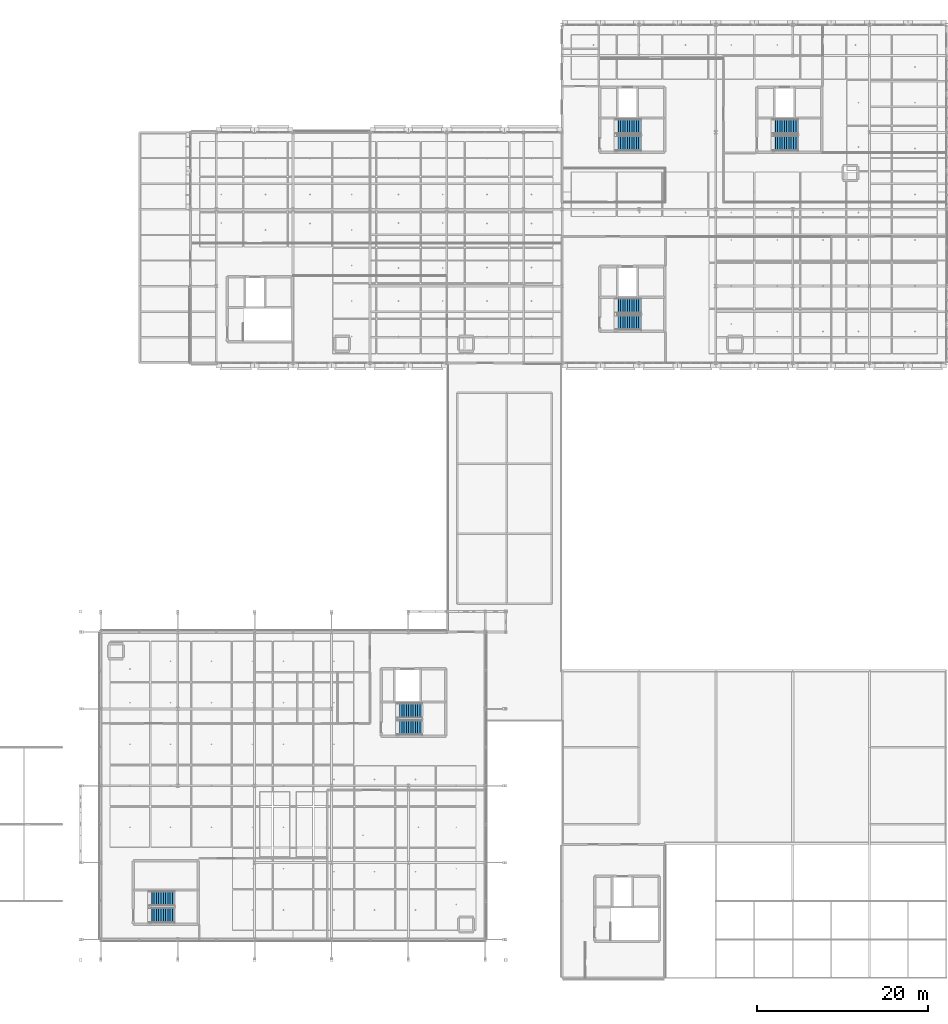
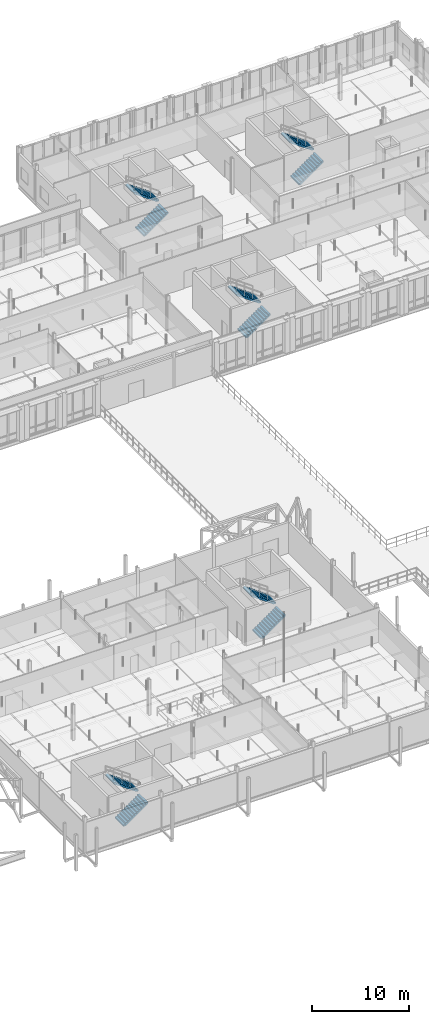
# One storey, part 52 of 89: 10 stair flights, 5 elements without a shape of their own.
"""IFC4 building model written with IfcOpenShell, lengths in metres."""

from ifc_helpers import new_model, si_unit, direction, frame, origin, place, context, subcontext, project, spatial, polyline, outline, extrude, material, type_object, element, aggregate, save


model = new_model("IFC4")

# Units and contexts
model_context = context("Model", 3, precision=1e-05, world=origin(), true_north=direction((0.0, 1.0)))
body_context = subcontext(model_context, "Body", "Model", "MODEL_VIEW")
ifc_project = project(units=[si_unit("LENGTHUNIT", "METRE"), si_unit("AREAUNIT", "SQUARE_METRE"), si_unit("VOLUMEUNIT", "CUBIC_METRE"), si_unit("PLANEANGLEUNIT", "RADIAN"), si_unit("MASSUNIT", "GRAM", prefix="KILO"), si_unit("THERMODYNAMICTEMPERATUREUNIT", "KELVIN"), si_unit("POWERUNIT", "WATT")], contexts=[model_context])

# Site, building, storey
site_placement = place(None, origin())
site = spatial("IfcSite", under=ifc_project, at=site_placement, CompositionType="ELEMENT")
building_placement = place(site_placement, origin())
building = spatial("IfcBuilding", under=site, at=building_placement, Name="Tallowbark Science Centre", CompositionType="ELEMENT")
storey_placement = place(building_placement, frame((0.0, 0.0, 14.39990234375)))
storey = spatial("IfcBuildingStorey", under=building, at=storey_placement, Name="L03", CompositionType="ELEMENT", Elevation=14.39990234375)

# Stair, stair flights
ifc_material = material(Name="Concrete Grade N40 (40 MPa)", Category="concrete")
stair_type_1 = type_object("IfcStairType", Name="STR-C2", PredefinedType="HALF_TURN_STAIR", material=ifc_material)
stair_1_placement = place(storey_placement, origin())
stair_1 = element("IfcStair", 1, at=stair_1_placement, inside=storey, type_object=stair_type_1, Name="L03 Fire Stair ST-02", PredefinedType="HALF_TURN_STAIR")
stair_flight_type_1 = type_object("IfcStairFlightType", Name="SFL-C2", PredefinedType="STRAIGHT", material=ifc_material)
stair_flight_1_placement = place(storey_placement, frame((118.81005859375, 76.72998046875, 0.0), z_axis=(0.0, 0.0, 1.0), x_axis=(1.0, 0.0, 0.0)))
stair_flight_1 = element("IfcStairFlight", 2, at=stair_flight_1_placement, type_object=stair_flight_type_1, Name="ST-02 flight 1", NumberOfRisers=12, NumberOfTreads=11, PredefinedType="STRAIGHT", RiserHeight=0.1875, TreadLength=0.265, context=body_context, shape_type="SweptSolid", body=[
    extrude(outline(polyline([(0.0, 0.0), (0.0, 0.1875), (0.264892578125, 0.1875), (0.264892578125, 0.375), (0.530029296875, 0.375), (0.530029296875, 0.5625), (0.794921875, 0.5625), (0.794921875, 0.75), (1.06005859375, 0.75), (1.06005859375, 0.9375), (1.324951171875, 0.9375), (1.324951171875, 1.125), (1.590087890625, 1.125), (1.590087890625, 1.3125), (1.85498046875, 1.3125), (1.85498046875, 1.5), (2.1201171875, 1.5), (2.1201171875, 1.6875), (2.385009765625, 1.6875), (2.385009765625, 1.875), (2.64990234375, 1.875), (2.64990234375, 2.0625), (2.9150390625, 2.0625), (2.9150390625, 2.25), (2.9150390625, 1.87890625), (0.259521484375, 0.0), (0.0, 0.0)])), frame((0.0, 0.8798828125, 0.0), z_axis=(0.0, -1.0, 0.0), x_axis=(1.0, 0.0, 0.0)), (0.0, 0.0, 1.0), 1.760009765625),
])
stair_flight_2_placement = place(storey_placement, frame((121.72509765625, 78.68994140625, 2.25), z_axis=(0.0, 0.0, 1.0), x_axis=(-1.0, 0.0, 0.0)))
stair_flight_2 = element("IfcStairFlight", 3, at=stair_flight_2_placement, type_object=stair_flight_type_1, Name="ST-02 flight 2", NumberOfRisers=12, NumberOfTreads=11, PredefinedType="STRAIGHT", RiserHeight=0.1875, TreadLength=0.265, context=body_context, shape_type="SweptSolid", body=[
    extrude(outline(polyline([(0.0, 0.0), (0.0, 0.1875), (0.264892578125, 0.1875), (0.264892578125, 0.375), (0.530029296875, 0.375), (0.530029296875, 0.5625), (0.794921875, 0.5625), (0.794921875, 0.75), (1.06005859375, 0.75), (1.06005859375, 0.9375), (1.324951171875, 0.9375), (1.324951171875, 1.125), (1.590087890625, 1.125), (1.590087890625, 1.3125), (1.85498046875, 1.3125), (1.85498046875, 1.5), (2.1201171875, 1.5), (2.1201171875, 1.6875), (2.385009765625, 1.6875), (2.385009765625, 1.875), (2.64990234375, 1.875), (2.64990234375, 2.0625), (2.9150390625, 2.0625), (2.9150390625, 2.25), (2.9150390625, 1.87890625), (0.259521484375, 0.0), (0.0, 0.0)])), frame((0.0, 0.8798828125, 0.0), z_axis=(0.0, -1.0, 0.0), x_axis=(1.0, 0.0, 0.0)), (0.0, 0.0, 1.0), 1.760009765625),
])
aggregate(stair_1, [stair_flight_1, stair_flight_2])

stair_type_2 = type_object("IfcStairType", Name="STR-C3", PredefinedType="HALF_TURN_STAIR", material=ifc_material)
stair_2_placement = place(storey_placement, origin())
stair_2 = element("IfcStair", 4, at=stair_2_placement, inside=storey, type_object=stair_type_2, Name="L03 Fire Stair ST-03", PredefinedType="HALF_TURN_STAIR")
stair_flight_type_2 = type_object("IfcStairFlightType", Name="SFL-C3", PredefinedType="STRAIGHT", material=ifc_material)
stair_flight_3_placement = place(storey_placement, frame((93.2099609375, 29.330078125, 0.0), z_axis=(0.0, 0.0, 1.0), x_axis=(1.0, 0.0, 0.0)))
stair_flight_3 = element("IfcStairFlight", 5, at=stair_flight_3_placement, type_object=stair_flight_type_2, Name="ST-03 flight 1", NumberOfRisers=12, NumberOfTreads=11, PredefinedType="STRAIGHT", RiserHeight=0.1875, TreadLength=0.265, context=body_context, shape_type="SweptSolid", body=[
    extrude(outline(polyline([(0.0, 0.0), (0.0, 0.1875), (0.264892578125, 0.1875), (0.264892578125, 0.375), (0.530029296875, 0.375), (0.530029296875, 0.5625), (0.794921875, 0.5625), (0.794921875, 0.75), (1.06005859375, 0.75), (1.06005859375, 0.9375), (1.324951171875, 0.9375), (1.324951171875, 1.125), (1.590087890625, 1.125), (1.590087890625, 1.3125), (1.85498046875, 1.3125), (1.85498046875, 1.5), (2.1201171875, 1.5), (2.1201171875, 1.6875), (2.385009765625, 1.6875), (2.385009765625, 1.875), (2.64990234375, 1.875), (2.64990234375, 2.0625), (2.9150390625, 2.0625), (2.9150390625, 2.25), (2.9150390625, 1.87890625), (0.259521484375, 0.0), (0.0, 0.0)])), frame((0.0, 0.8798828125, 0.0), z_axis=(0.0, -1.0, 0.0), x_axis=(1.0, 0.0, 0.0)), (0.0, 0.0, 1.0), 1.760009765625),
])
stair_flight_4_placement = place(storey_placement, frame((96.125, 31.2900390625, 2.25), z_axis=(0.0, 0.0, 1.0), x_axis=(-1.0, 0.0, 0.0)))
stair_flight_4 = element("IfcStairFlight", 6, at=stair_flight_4_placement, type_object=stair_flight_type_2, Name="ST-03 flight 2", NumberOfRisers=12, NumberOfTreads=11, PredefinedType="STRAIGHT", RiserHeight=0.1875, TreadLength=0.265, context=body_context, shape_type="SweptSolid", body=[
    extrude(outline(polyline([(0.0, 0.0), (0.0, 0.1875), (0.264892578125, 0.1875), (0.264892578125, 0.375), (0.530029296875, 0.375), (0.530029296875, 0.5625), (0.794921875, 0.5625), (0.794921875, 0.75), (1.06005859375, 0.75), (1.06005859375, 0.9375), (1.324951171875, 0.9375), (1.324951171875, 1.125), (1.590087890625, 1.125), (1.590087890625, 1.3125), (1.85498046875, 1.3125), (1.85498046875, 1.5), (2.1201171875, 1.5), (2.1201171875, 1.6875), (2.385009765625, 1.6875), (2.385009765625, 1.875), (2.64990234375, 1.875), (2.64990234375, 2.0625), (2.9150390625, 2.0625), (2.9150390625, 2.25), (2.9150390625, 1.87890625), (0.259521484375, 0.0), (0.0, 0.0)])), frame((0.0, 0.8798828125, 0.0), z_axis=(0.0, -1.0, 0.0), x_axis=(1.0, 0.0, 0.0)), (0.0, 0.0, 1.0), 1.760009765625),
])
aggregate(stair_2, [stair_flight_3, stair_flight_4])

stair_type_3 = type_object("IfcStairType", Name="STR-C4", PredefinedType="HALF_TURN_STAIR", material=ifc_material)
stair_3_placement = place(storey_placement, origin())
stair_3 = element("IfcStair", 7, at=stair_3_placement, inside=storey, type_object=stair_type_3, Name="L03 Fire Stair ST-04", PredefinedType="HALF_TURN_STAIR")
stair_flight_type_3 = type_object("IfcStairFlightType", Name="SFL-C4", PredefinedType="STRAIGHT", material=ifc_material)
stair_flight_5_placement = place(storey_placement, frame((137.2099609375, 97.72998046875, 0.0), z_axis=(0.0, 0.0, 1.0), x_axis=(1.0, 0.0, 0.0)))
stair_flight_5 = element("IfcStairFlight", 8, at=stair_flight_5_placement, type_object=stair_flight_type_3, Name="ST-04 flight 1", NumberOfRisers=12, NumberOfTreads=11, PredefinedType="STRAIGHT", RiserHeight=0.1875, TreadLength=0.265, context=body_context, shape_type="SweptSolid", body=[
    extrude(outline(polyline([(0.0, 0.0), (0.0, 0.1875), (0.264892578125, 0.1875), (0.264892578125, 0.375), (0.530029296875, 0.375), (0.530029296875, 0.5625), (0.794921875, 0.5625), (0.794921875, 0.75), (1.06005859375, 0.75), (1.06005859375, 0.9375), (1.324951171875, 0.9375), (1.324951171875, 1.125), (1.590087890625, 1.125), (1.590087890625, 1.3125), (1.85498046875, 1.3125), (1.85498046875, 1.5), (2.1201171875, 1.5), (2.1201171875, 1.6875), (2.385009765625, 1.6875), (2.385009765625, 1.875), (2.64990234375, 1.875), (2.64990234375, 2.0625), (2.9150390625, 2.0625), (2.9150390625, 2.25), (2.9150390625, 1.87890625), (0.259521484375, 0.0), (0.0, 0.0)])), frame((0.0, 0.8798828125, 0.0), z_axis=(0.0, -1.0, 0.0), x_axis=(1.0, 0.0, 0.0)), (0.0, 0.0, 1.0), 1.760009765625),
])
stair_flight_6_placement = place(storey_placement, frame((140.125, 99.68994140625, 2.25), z_axis=(0.0, 0.0, 1.0), x_axis=(-1.0, 0.0, 0.0)))
stair_flight_6 = element("IfcStairFlight", 9, at=stair_flight_6_placement, type_object=stair_flight_type_3, Name="ST-04 flight 2", NumberOfRisers=12, NumberOfTreads=11, PredefinedType="STRAIGHT", RiserHeight=0.1875, TreadLength=0.265, context=body_context, shape_type="SweptSolid", body=[
    extrude(outline(polyline([(0.0, 0.0), (0.0, 0.1875), (0.264892578125, 0.1875), (0.264892578125, 0.375), (0.530029296875, 0.375), (0.530029296875, 0.5625), (0.794921875, 0.5625), (0.794921875, 0.75), (1.06005859375, 0.75), (1.06005859375, 0.9375), (1.324951171875, 0.9375), (1.324951171875, 1.125), (1.590087890625, 1.125), (1.590087890625, 1.3125), (1.85498046875, 1.3125), (1.85498046875, 1.5), (2.1201171875, 1.5), (2.1201171875, 1.6875), (2.385009765625, 1.6875), (2.385009765625, 1.875), (2.64990234375, 1.875), (2.64990234375, 2.0625), (2.9150390625, 2.0625), (2.9150390625, 2.25), (2.9150390625, 1.87890625), (0.259521484375, 0.0), (0.0, 0.0)])), frame((0.0, 0.8798828125, 0.0), z_axis=(0.0, -1.0, 0.0), x_axis=(1.0, 0.0, 0.0)), (0.0, 0.0, 1.0), 1.760009765625),
])
aggregate(stair_3, [stair_flight_5, stair_flight_6])

stair_type_4 = type_object("IfcStairType", Name="STR-C5", PredefinedType="HALF_TURN_STAIR", material=ifc_material)
stair_4_placement = place(storey_placement, origin())
stair_4 = element("IfcStair", 10, at=stair_4_placement, inside=storey, type_object=stair_type_4, Name="L03 Fire Stair ST-05", PredefinedType="HALF_TURN_STAIR")
stair_flight_type_4 = type_object("IfcStairFlightType", Name="SFL-C5", PredefinedType="STRAIGHT", material=ifc_material)
stair_flight_7_placement = place(storey_placement, frame((118.81005859375, 97.72998046875, 0.0), z_axis=(0.0, 0.0, 1.0), x_axis=(1.0, 0.0, 0.0)))
stair_flight_7 = element("IfcStairFlight", 11, at=stair_flight_7_placement, type_object=stair_flight_type_4, Name="ST-05 flight 1", NumberOfRisers=12, NumberOfTreads=11, PredefinedType="STRAIGHT", RiserHeight=0.1875, TreadLength=0.265, context=body_context, shape_type="SweptSolid", body=[
    extrude(outline(polyline([(0.0, 0.0), (0.0, 0.1875), (0.264892578125, 0.1875), (0.264892578125, 0.375), (0.530029296875, 0.375), (0.530029296875, 0.5625), (0.794921875, 0.5625), (0.794921875, 0.75), (1.06005859375, 0.75), (1.06005859375, 0.9375), (1.324951171875, 0.9375), (1.324951171875, 1.125), (1.590087890625, 1.125), (1.590087890625, 1.3125), (1.85498046875, 1.3125), (1.85498046875, 1.5), (2.1201171875, 1.5), (2.1201171875, 1.6875), (2.385009765625, 1.6875), (2.385009765625, 1.875), (2.64990234375, 1.875), (2.64990234375, 2.0625), (2.9150390625, 2.0625), (2.9150390625, 2.25), (2.9150390625, 1.87890625), (0.259521484375, 0.0), (0.0, 0.0)])), frame((0.0, 0.8798828125, 0.0), z_axis=(0.0, -1.0, 0.0), x_axis=(1.0, 0.0, 0.0)), (0.0, 0.0, 1.0), 1.760009765625),
])
stair_flight_8_placement = place(storey_placement, frame((121.72509765625, 99.68994140625, 2.25), z_axis=(0.0, 0.0, 1.0), x_axis=(-1.0, 0.0, 0.0)))
stair_flight_8 = element("IfcStairFlight", 12, at=stair_flight_8_placement, type_object=stair_flight_type_4, Name="ST-05 flight 2", NumberOfRisers=12, NumberOfTreads=11, PredefinedType="STRAIGHT", RiserHeight=0.1875, TreadLength=0.265, context=body_context, shape_type="SweptSolid", body=[
    extrude(outline(polyline([(0.0, 0.0), (0.0, 0.1875), (0.264892578125, 0.1875), (0.264892578125, 0.375), (0.530029296875, 0.375), (0.530029296875, 0.5625), (0.794921875, 0.5625), (0.794921875, 0.75), (1.06005859375, 0.75), (1.06005859375, 0.9375), (1.324951171875, 0.9375), (1.324951171875, 1.125), (1.590087890625, 1.125), (1.590087890625, 1.3125), (1.85498046875, 1.3125), (1.85498046875, 1.5), (2.1201171875, 1.5), (2.1201171875, 1.6875), (2.385009765625, 1.6875), (2.385009765625, 1.875), (2.64990234375, 1.875), (2.64990234375, 2.0625), (2.9150390625, 2.0625), (2.9150390625, 2.25), (2.9150390625, 1.87890625), (0.259521484375, 0.0), (0.0, 0.0)])), frame((0.0, 0.8798828125, 0.0), z_axis=(0.0, -1.0, 0.0), x_axis=(1.0, 0.0, 0.0)), (0.0, 0.0, 1.0), 1.760009765625),
])
aggregate(stair_4, [stair_flight_7, stair_flight_8])

stair_type_5 = type_object("IfcStairType", Name="STR-C7", PredefinedType="HALF_TURN_STAIR", material=ifc_material)
stair_5_placement = place(storey_placement, origin())
stair_5 = element("IfcStair", 13, at=stair_5_placement, inside=storey, type_object=stair_type_5, Name="L03 Fire Stair ST-07", PredefinedType="HALF_TURN_STAIR")
stair_flight_type_5 = type_object("IfcStairFlightType", Name="SFL-C7", PredefinedType="STRAIGHT", material=ifc_material)
stair_flight_9_placement = place(storey_placement, frame((64.2099609375, 7.330078125, 0.0), z_axis=(0.0, 0.0, 1.0), x_axis=(1.0, 0.0, 0.0)))
stair_flight_9 = element("IfcStairFlight", 14, at=stair_flight_9_placement, type_object=stair_flight_type_5, Name="ST-07 flight 1", NumberOfRisers=12, NumberOfTreads=11, PredefinedType="STRAIGHT", RiserHeight=0.1875, TreadLength=0.265, context=body_context, shape_type="SweptSolid", body=[
    extrude(outline(polyline([(0.0, 0.0), (0.0, 0.1875), (0.264892578125, 0.1875), (0.264892578125, 0.375), (0.530029296875, 0.375), (0.530029296875, 0.5625), (0.794921875, 0.5625), (0.794921875, 0.75), (1.06005859375, 0.75), (1.06005859375, 0.9375), (1.324951171875, 0.9375), (1.324951171875, 1.125), (1.590087890625, 1.125), (1.590087890625, 1.3125), (1.85498046875, 1.3125), (1.85498046875, 1.5), (2.1201171875, 1.5), (2.1201171875, 1.6875), (2.385009765625, 1.6875), (2.385009765625, 1.875), (2.64990234375, 1.875), (2.64990234375, 2.0625), (2.9150390625, 2.0625), (2.9150390625, 2.25), (2.9150390625, 1.87890625), (0.259521484375, 0.0), (0.0, 0.0)])), frame((0.0, 0.8798828125, 0.0), z_axis=(0.0, -1.0, 0.0), x_axis=(1.0, 0.0, 0.0)), (0.0, 0.0, 1.0), 1.760009765625),
])
stair_flight_10_placement = place(storey_placement, frame((67.125, 9.2900390625, 2.25), z_axis=(0.0, 0.0, 1.0), x_axis=(-1.0, 0.0, 0.0)))
stair_flight_10 = element("IfcStairFlight", 15, at=stair_flight_10_placement, type_object=stair_flight_type_5, Name="ST-07 flight 2", NumberOfRisers=12, NumberOfTreads=11, PredefinedType="STRAIGHT", RiserHeight=0.1875, TreadLength=0.265, context=body_context, shape_type="SweptSolid", body=[
    extrude(outline(polyline([(0.0, 0.0), (0.0, 0.1875), (0.264892578125, 0.1875), (0.264892578125, 0.375), (0.530029296875, 0.375), (0.530029296875, 0.5625), (0.794921875, 0.5625), (0.794921875, 0.75), (1.06005859375, 0.75), (1.06005859375, 0.9375), (1.324951171875, 0.9375), (1.324951171875, 1.125), (1.590087890625, 1.125), (1.590087890625, 1.3125), (1.85498046875, 1.3125), (1.85498046875, 1.5), (2.1201171875, 1.5), (2.1201171875, 1.6875), (2.385009765625, 1.6875), (2.385009765625, 1.875), (2.64990234375, 1.875), (2.64990234375, 2.0625), (2.9150390625, 2.0625), (2.9150390625, 2.25), (2.9150390625, 1.87890625), (0.259521484375, 0.0), (0.0, 0.0)])), frame((0.0, 0.8798828125, 0.0), z_axis=(0.0, -1.0, 0.0), x_axis=(1.0, 0.0, 0.0)), (0.0, 0.0, 1.0), 1.760009765625),
])
aggregate(stair_5, [stair_flight_9, stair_flight_10])

save(model, "model.ifc")
